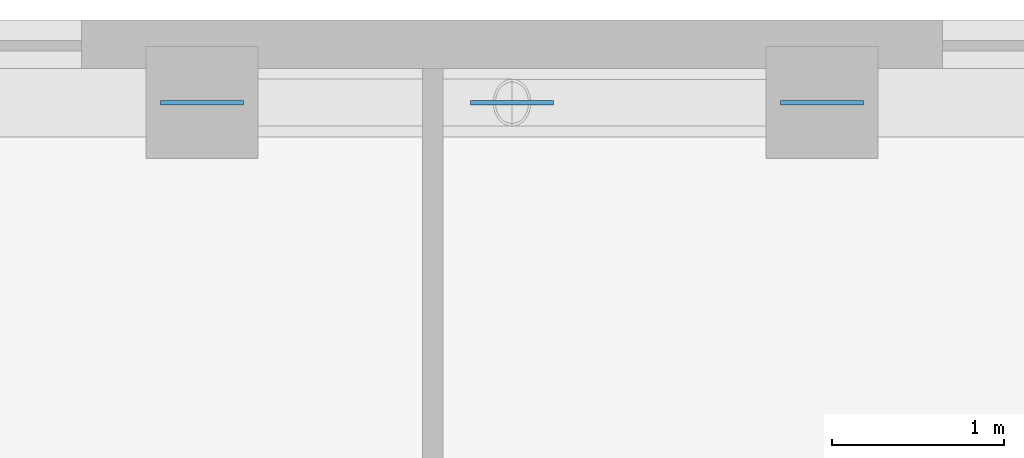
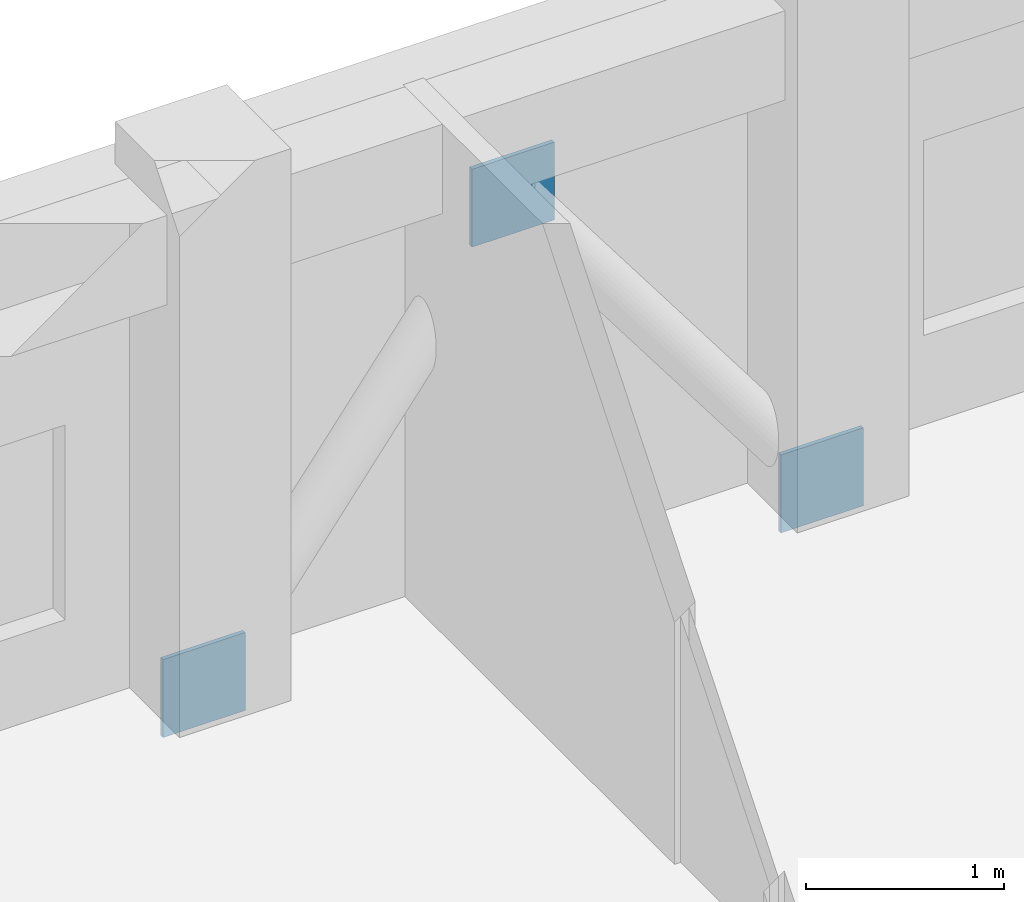
# One storey, part 9 of 11: 3 discrete accessories.
"""IFC4 building model written with IfcOpenShell, lengths in metres."""

from ifc_helpers import new_model, si_unit, derived_unit, direction, frame, origin, origin_2d, place, context, subcontext, project, spatial, rectangle, extrude, material, layer, layer_set, type_object, element, save


model = new_model("IFC4")

# Units and contexts
model_context = context("Model", 3, precision=1e-05, world=origin(), true_north=direction((0.0, 1.0)))
body_context = subcontext(model_context, "Body", "Model", "MODEL_VIEW")
ifc_project = project(units=[si_unit("LENGTHUNIT", "METRE"), si_unit("AREAUNIT", "SQUARE_METRE"), si_unit("VOLUMEUNIT", "CUBIC_METRE"), si_unit("PLANEANGLEUNIT", "RADIAN"), si_unit("MASSUNIT", "GRAM", prefix="KILO"), derived_unit("THERMALTRANSMITTANCEUNIT", [(si_unit("MASSUNIT", "GRAM", prefix="KILO"), 1), (si_unit("TIMEUNIT", "SECOND"), -3), (si_unit("THERMODYNAMICTEMPERATUREUNIT", "KELVIN"), -1)])], contexts=[model_context])

# Site, building, storey
site_placement = place(None, origin())
site = spatial("IfcSite", under=ifc_project, at=site_placement, CompositionType="ELEMENT")
building_placement = place(site_placement, origin())
building = spatial("IfcBuilding", under=site, at=building_placement, Name="Korrvale Station Residences", CompositionType="ELEMENT")
storey_placement = place(building_placement, frame((0.0, 0.0, 254.699951171875)))
storey = spatial("IfcBuildingStorey", under=building, at=storey_placement, Name="L74", CompositionType="ELEMENT", Elevation=254.699951171875)

# Discrete accessories
ifc_material = material(Name="Steel S355", Category="steel")
ifc_layer = layer(ifc_material, 0.02490234375, Name="Steel S355")
ifc_layer_set = layer_set([ifc_layer], Name="Steel S355")
discrete_accessory_type = type_object("IfcDiscreteAccessoryType", Name="ACC-GUSSET-25", PredefinedType="BRACKET", material=ifc_layer_set)
for number, where, z_axis, x_axis, name in (
    (1, (23.199951171875, 39.719970703125, -0.219970703125), (0.0, 0.0, 1.0), (1.0, 0.0, 0.0), "L74 N Brace End Gusset Connection A"),
    (2, (26.800048828125, 39.719970703125, -0.219970703125), (0.0, 0.0, 1.0), (1.0, 0.0, 0.0), "L74 N Brace End Gusset Connection B"),
    (3, (25.0, 39.719970703125, 2.170166015625), (0.0, 0.0, 1.0), (1.0, 0.0, 0.0), "L74 N Brace End Gusset Connection M"),
):
    element("IfcDiscreteAccessory", number, at=place(storey_placement, frame(where, z_axis=z_axis, x_axis=x_axis)), inside=storey, type_object=discrete_accessory_type, Name=name, PredefinedType="BRACKET", context=body_context, shape_type="SweptSolid", body=[
        extrude(rectangle(XDim=0.47998046875, YDim=0.02490234375, at=origin_2d()), origin(), (0.0, 0.0, 1.0), 0.47998046875),
    ])

save(model, "model.ifc")
